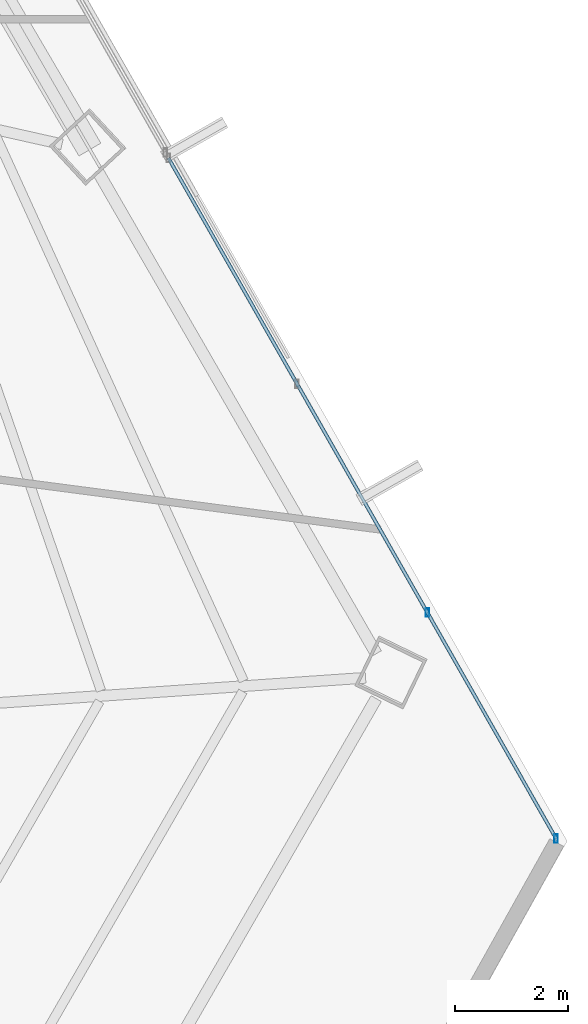
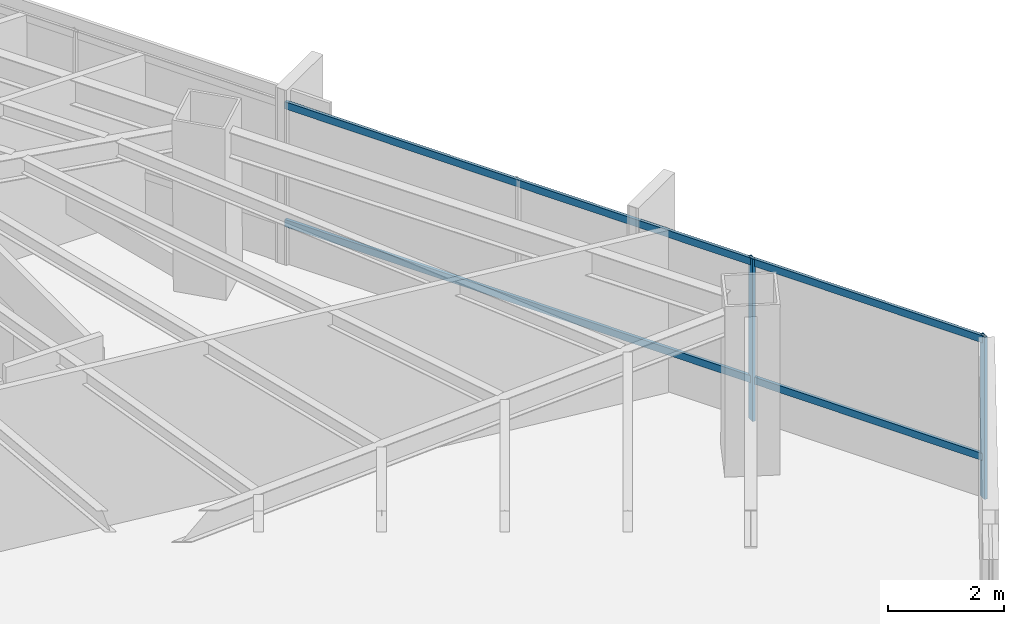
# One storey, part 21 of 39: 4 members, 1 element without a shape of its own.
"""IFC4 building model written with IfcOpenShell, lengths in metres."""

import ifcopenshell
import ifcopenshell.guid

model = None  # the IFC model being written
_history = None  # IfcOwnerHistory: only IFC2X3 demands one
_inside = {}  # id of a spatial element -> (the spatial element, [elements in it])
_under = {}  # id of a project, library or spatial element -> (it, [spatial elements below it])
_declared = {}  # id of a project -> (the project, [libraries it declares])
_typed = {}  # id of a type object -> (the type object, [elements of that type])
_made_of = {}  # id of a material, layer set ... -> (it, [elements and type objects made of it])


def new_model(schema):
    """Start an empty IFC model of exactly this schema.

    Asked for "IFC4X3", IfcOpenShell would pick the latest addendum, in which some entities
    have other attributes; the version numbers below select the first issue.
    IFC2X3 requires an IfcOwnerHistory on every rooted entity: one is made here for all.
    """
    global model, _history
    if schema == "IFC4X3":
        model = ifcopenshell.file(schema_version=(4, 3, 0, 0))
    else:
        model = ifcopenshell.file(schema=schema)
    _inside.clear()
    _under.clear()
    _declared.clear()
    _typed.clear()
    _made_of.clear()
    _history = None
    if model.schema == "IFC2X3":
        org = make("IfcOrganization", Name="unknown")
        user = make(
            "IfcPersonAndOrganization",
            ThePerson=make("IfcPerson", FamilyName="unknown"),
            TheOrganization=org,
        )
        app = make(
            "IfcApplication",
            ApplicationDeveloper=org,
            Version="unknown",
            ApplicationFullName="unknown",
            ApplicationIdentifier="unknown",
        )
        _history = make(
            "IfcOwnerHistory",
            OwningUser=user,
            OwningApplication=app,
            ChangeAction="ADDED",
            CreationDate=0,
        )
    return model


def make(cls, **values):
    """One entity of the class cls with the attributes given. An attribute that is None is left unset."""
    return model.create_entity(
        cls, **{name: value for name, value in values.items() if value is not None}
    )


def rooted(cls, **values):
    """An entity with a GlobalId (a new one), such as an element, a storey or a relation."""
    return make(cls, GlobalId=ifcopenshell.guid.new(), OwnerHistory=_history, **values)


def si_unit(unit_type, name, prefix=None):
    """IfcSIUnit, for example si_unit("LENGTHUNIT", "METRE", prefix="MILLI")."""
    return make("IfcSIUnit", UnitType=unit_type, Prefix=prefix, Name=name)


def assignment(units):
    """IfcUnitAssignment: the units of a project."""
    return None if units is None else make("IfcUnitAssignment", Units=units)


def point(xyz):
    """IfcCartesianPoint."""
    return None if xyz is None else make("IfcCartesianPoint", Coordinates=xyz)


def direction(xyz):
    """IfcDirection."""
    return None if xyz is None else make("IfcDirection", DirectionRatios=xyz)


def frame(location, z_axis=None, x_axis=None):
    """IfcAxis2Placement3D, a coordinate frame: its origin and axes. An axis left out is left unset."""
    return make(
        "IfcAxis2Placement3D",
        Location=point(location),
        Axis=direction(z_axis),
        RefDirection=direction(x_axis),
    )


def frame_2d(location, x_axis=None):
    """IfcAxis2Placement2D, a coordinate frame in the plane: its origin and x axis."""
    return make(
        "IfcAxis2Placement2D", Location=point(location), RefDirection=direction(x_axis)
    )


def origin():
    """The frame at (0, 0, 0) with its axes left unset."""
    return frame((0.0, 0.0, 0.0))


def origin_2d():
    """The frame at (0, 0) in the plane with its x axis left unset."""
    return frame_2d((0.0, 0.0))


def place(relative_to, where):
    """IfcLocalPlacement: puts the frame where relative to a parent placement (None: the world)."""
    return make(
        "IfcLocalPlacement", PlacementRelTo=relative_to, RelativePlacement=where
    )


def context(
    kind, dimensions, precision=None, world=None, true_north=None, identifier=None
):
    """IfcGeometricRepresentationContext, for example the 3D "Model" context."""
    return make(
        "IfcGeometricRepresentationContext",
        ContextIdentifier=identifier,
        ContextType=kind,
        CoordinateSpaceDimension=dimensions,
        Precision=precision,
        WorldCoordinateSystem=world,
        TrueNorth=true_north,
    )


def subcontext(parent, identifier, kind, view, scale=None):
    """IfcGeometricRepresentationSubContext, for example "Body" below "Model"."""
    return make(
        "IfcGeometricRepresentationSubContext",
        ContextIdentifier=identifier,
        ContextType=kind,
        ParentContext=parent,
        TargetScale=scale,
        TargetView=view,
    )


def project(units=None, contexts=None):
    """IfcProject with its units and contexts."""
    return rooted(
        "IfcProject",
        Name="project",
        RepresentationContexts=contexts,
        UnitsInContext=assignment(units),
    )


def spatial(cls, under=None, at=None, **own):
    """A site, building, storey or space (cls), placed at a placement, below another one or the project."""
    s = rooted(cls, ObjectPlacement=at, **own)
    if under is not None:
        _under.setdefault(under.id(), (under, []))[1].append(s)
    return s


def profile(cls, at=None, kind="AREA", **sizes):
    """A parametric profile (cls). Its sizes go by their IFC names, for example OverallWidth=200.0."""
    return make(cls, ProfileType=kind, Position=at, **sizes)


def hollow_rectangle(**sizes):
    """IfcRectangleHollowProfileDef."""
    return profile("IfcRectangleHollowProfileDef", **sizes)


def extrude(swept, where, along, depth):
    """IfcExtrudedAreaSolid: the profile swept, set in the frame where, extruded along a direction by depth."""
    return make(
        "IfcExtrudedAreaSolid",
        SweptArea=swept,
        Position=where,
        ExtrudedDirection=direction(along),
        Depth=depth,
    )


def shape(context_of_items, identifier, shape_type, items):
    """IfcShapeRepresentation: the items that make up one representation, for example the "Body"."""
    return make(
        "IfcShapeRepresentation",
        ContextOfItems=context_of_items,
        RepresentationIdentifier=identifier,
        RepresentationType=shape_type,
        Items=items,
    )


def source(mapping_origin, context_of_items, identifier, shape_type, items):
    """IfcRepresentationMap: a shape defined once, which mapped items show again and again."""
    return make(
        "IfcRepresentationMap",
        MappingOrigin=mapping_origin,
        MappedRepresentation=shape(context_of_items, identifier, shape_type, items),
    )


def transform(
    local_origin,
    x_axis=None,
    y_axis=None,
    z_axis=None,
    scale=None,
    scale2=None,
    scale3=None,
    uniform=True,
):
    """IfcCartesianTransformationOperator3D, or its non-uniform kind. x_axis, y_axis, z_axis: its Axis1, 2, 3."""
    if uniform:
        return make(
            "IfcCartesianTransformationOperator3D",
            Axis1=direction(x_axis),
            Axis2=direction(y_axis),
            LocalOrigin=point(local_origin),
            Scale=scale,
            Axis3=direction(z_axis),
        )
    return make(
        "IfcCartesianTransformationOperator3DnonUniform",
        Axis1=direction(x_axis),
        Axis2=direction(y_axis),
        LocalOrigin=point(local_origin),
        Scale=scale,
        Axis3=direction(z_axis),
        Scale2=scale2,
        Scale3=scale3,
    )


def mapped(mapping_source, mapping_target):
    """IfcMappedItem: shows the shape of a source again, moved by a transform."""
    return make(
        "IfcMappedItem", MappingSource=mapping_source, MappingTarget=mapping_target
    )


def material(Name=None, Category=None):
    """IfcMaterial."""
    return make("IfcMaterial", Name=Name, Category=Category)


def material_profile(
    of_material, cross_section, Name=None, Category=None, Priority=None
):
    """IfcMaterialProfile: a cross section and its material."""
    return make(
        "IfcMaterialProfile",
        Name=Name,
        Material=of_material,
        Profile=cross_section,
        Priority=Priority,
        Category=Category,
    )


def profile_set(profiles, Name=None, composite=None):
    """IfcMaterialProfileSet."""
    return make(
        "IfcMaterialProfileSet",
        Name=Name,
        MaterialProfiles=profiles,
        CompositeProfile=composite,
    )


def made_of(thing, what):
    """Note that an element or type object is made of a material, layer set ...; save() writes the relation."""
    if what is not None:
        _made_of.setdefault(what.id(), (what, []))[1].append(thing)
    return thing


def type_object(cls, material=None, **own):
    """A type object (cls), such as IfcWallType, which elements share."""
    return made_of(rooted(cls, **own), material)


def type_shapes(of_type, sources):
    """Give a type object the sources (RepresentationMaps) that its elements show as mapped items."""
    of_type.RepresentationMaps = sources


def element(
    cls,
    number,
    at=None,
    inside=None,
    cuts=None,
    type_object=None,
    material=None,
    context=None,
    identifier="Body",
    shape_type=None,
    held_by="IfcProductDefinitionShape",
    body=None,
    shapes=None,
    **own,
):
    """One element of the class cls, such as IfcWall. Its Tag is "e" and its number.

    at: its placement. inside: the storey or other place that contains it. cuts: it is an
    opening in that element (IfcRelVoidsElement). A single representation is given by context,
    identifier, shape_type and body (its items); several are given by shapes. held_by: the class
    of the entity that holds the representations. save() writes the other relations.
    """
    e = rooted(cls, Tag="e%d" % number, ObjectPlacement=at, **own)
    if body is not None:
        shapes = [shape(context, identifier, shape_type, body)]
    if shapes is not None:
        e.Representation = make(held_by, Representations=shapes)
    if inside is not None:
        _inside.setdefault(inside.id(), (inside, []))[1].append(e)
    if cuts is not None:
        rooted(
            "IfcRelVoidsElement", RelatingBuildingElement=cuts, RelatedOpeningElement=e
        )
    if type_object is not None:
        _typed.setdefault(type_object.id(), (type_object, []))[1].append(e)
    return made_of(e, material)


def aggregate(whole, parts):
    """IfcRelAggregates: a whole, such as a stair, and the parts it consists of."""
    return rooted("IfcRelAggregates", RelatingObject=whole, RelatedObjects=parts)


def save(model, path):
    """Write the relations noted so far, then the file.

    IfcRelAggregates (storeys below a building ...), IfcRelContainedInSpatialStructure (elements
    in a storey), IfcRelDefinesByType, IfcRelAssociatesMaterial and IfcRelDeclares: one each for
    every whole, place, type object, material and project.
    """
    for whole, parts in _under.values():
        aggregate(whole, parts)
    for where, things in _inside.values():
        rooted(
            "IfcRelContainedInSpatialStructure",
            RelatedElements=things,
            RelatingStructure=where,
        )
    for kind, things in _typed.values():
        rooted("IfcRelDefinesByType", RelatedObjects=things, RelatingType=kind)
    for what, things in _made_of.values():
        rooted("IfcRelAssociatesMaterial", RelatedObjects=things, RelatingMaterial=what)
    for by, libraries in _declared.values():
        rooted("IfcRelDeclares", RelatingContext=by, RelatedDefinitions=libraries)
    model.write(path)


model = new_model("IFC4")

# Units and contexts
model_context = context("Model", 3, precision=1e-05, world=origin(), true_north=direction((0.0, 1.0)))
body_context = subcontext(model_context, "Body", "Model", "MODEL_VIEW")
ifc_project = project(units=[si_unit("LENGTHUNIT", "METRE"), si_unit("AREAUNIT", "SQUARE_METRE"), si_unit("VOLUMEUNIT", "CUBIC_METRE"), si_unit("PLANEANGLEUNIT", "RADIAN"), si_unit("MASSUNIT", "GRAM", prefix="KILO")], contexts=[model_context])

# Site, building, storey
site_placement = place(None, origin())
site = spatial("IfcSite", under=ifc_project, at=site_placement, CompositionType="ELEMENT")
building_placement = place(site_placement, origin())
building = spatial("IfcBuilding", under=site, at=building_placement, Name="Caelisora Broadcast Tower", CompositionType="ELEMENT")
storey_placement = place(building_placement, frame((0.0, 0.0, 139.10009765625)))
storey = spatial("IfcBuildingStorey", under=building, at=storey_placement, Name="L36", CompositionType="ELEMENT", Elevation=139.10009765625)

# Curtain wall, members
ifc_material_1 = material(Name="Unitised Aluminium and Low-E Glass Curtain Wall", Category="glass")
curtain_wall_type = type_object("IfcCurtainWallType", Name="CW-Z3", PredefinedType="NOTDEFINED", material=ifc_material_1)
curtain_wall_placement = place(storey_placement, origin())
curtain_wall = element("IfcCurtainWall", 1, at=curtain_wall_placement, inside=storey, type_object=curtain_wall_type, Name="L36 curtain wall CW-Z3", PredefinedType="NOTDEFINED")
ifc_material_2 = material(Name="Aluminium 6063-T6 Anodised Terracotta Bronze", Category="aluminium")
ifc_material_profile_1 = material_profile(ifc_material_2, hollow_rectangle(XDim=0.06005859375, YDim=0.14990234375, WallThickness=0.00341796875, at=origin_2d()), Name="Aluminium 6063-T6 Anodised Terracotta Bronze")
ifc_profile_set_1 = profile_set([ifc_material_profile_1], Name="Aluminium 6063-T6 Anodised Terracotta Bronze")
member_type_1 = type_object("IfcMemberType", Name="CWM-03", PredefinedType="MULLION", material=ifc_profile_set_1)
shared_shape_1 = source(origin(), body_context, "Body", "SweptSolid", [
    extrude(hollow_rectangle(XDim=0.06005859375, YDim=0.14990234375, WallThickness=0.00341796875, at=origin_2d()), origin(), (0.0, 0.0, 1.0), 3.39990234375),
])
type_shapes(member_type_1, [shared_shape_1])
member_1_placement = place(storey_placement, frame((61.4208984375, 19.572509765625, 0.0), z_axis=(0.0, 0.0, 1.0), x_axis=(1.0, 0.0, 0.0)))
member_1 = element("IfcMember", 2, at=member_1_placement, type_object=member_type_1, Name="L36-CW-B03 mullion #2", PredefinedType="MULLION", context=body_context, shape_type="MappedRepresentation", body=[
    mapped(shared_shape_1, transform((0.0, 0.0, 0.0), scale=1.0)),
])
member_2_placement = place(storey_placement, frame((63.705322265625, 15.5625, 0.0), z_axis=(0.0, 0.0, 1.0), x_axis=(1.0, 0.0, 0.0)))
member_2 = element("IfcMember", 3, at=member_2_placement, type_object=member_type_1, Name="L36-CW-B03 mullion #3", PredefinedType="MULLION", context=body_context, shape_type="MappedRepresentation", body=[
    mapped(shared_shape_1, transform((0.0, 0.0, 0.0), scale=1.0)),
])
ifc_material_profile_2 = material_profile(ifc_material_2, hollow_rectangle(XDim=0.06005859375, YDim=0.14990234375, WallThickness=0.00341796875, at=origin_2d()), Name="Aluminium 6063-T6 Anodised Terracotta Bronze")
ifc_profile_set_2 = profile_set([ifc_material_profile_2], Name="Aluminium 6063-T6 Anodised Terracotta Bronze")
member_type_2 = type_object("IfcMemberType", Name="CWT-02", PredefinedType="USERDEFINED", material=ifc_profile_set_2)
shared_shape_2 = source(origin(), body_context, "Body", "SweptSolid", [
    extrude(hollow_rectangle(XDim=0.06005859375, YDim=0.14990234375, WallThickness=0.00341796875, at=origin_2d()), origin(), (0.0, 0.0, 1.0), 13.895263671875),
])
type_shapes(member_type_2, [shared_shape_2])
member_3_placement = place(storey_placement, frame((56.827880859375, 27.636474609375, 0.849853515625), z_axis=(0.494946414992, -0.868923498524, 0.0), x_axis=(0.868923498524, 0.494946414992, 0.0)))
member_3 = element("IfcMember", 4, at=member_3_placement, type_object=member_type_2, Name="L36-CW-B03 transom #1", ObjectType="TRANSOM", PredefinedType="USERDEFINED", context=body_context, shape_type="MappedRepresentation", body=[
    mapped(shared_shape_2, transform((0.0, 0.0, 0.0), scale=1.0)),
])
member_4_placement = place(storey_placement, frame((56.827880859375, 27.636474609375, 3.31982421875), z_axis=(0.494946414992, -0.868923498524, 0.0), x_axis=(0.868923498524, 0.494946414992, 0.0)))
member_4 = element("IfcMember", 5, at=member_4_placement, type_object=member_type_2, Name="L36-CW-B03 transom #2", ObjectType="TRANSOM", PredefinedType="USERDEFINED", context=body_context, shape_type="MappedRepresentation", body=[
    mapped(shared_shape_2, transform((0.0, 0.0, 0.0), scale=1.0)),
])
aggregate(curtain_wall, [member_1, member_2, member_3, member_4])

save(model, "model.ifc")
